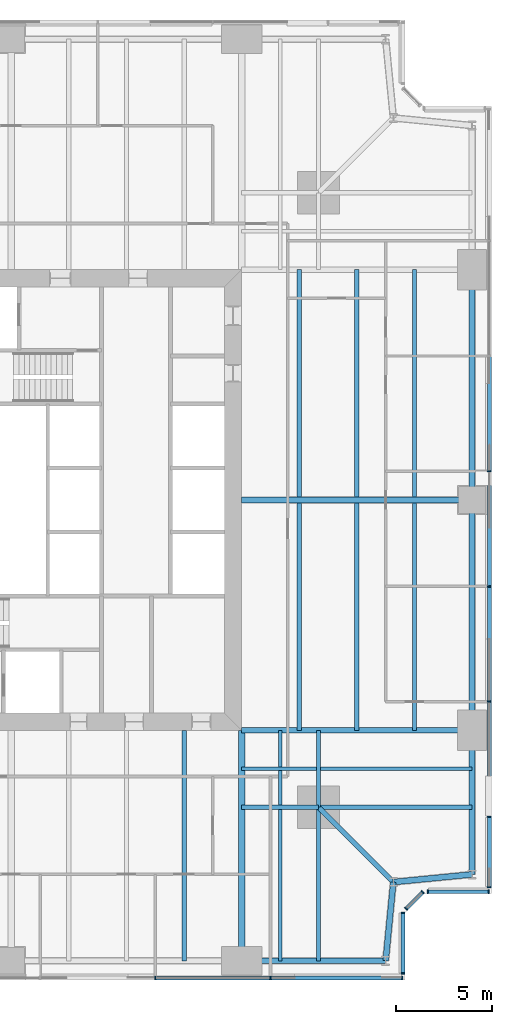
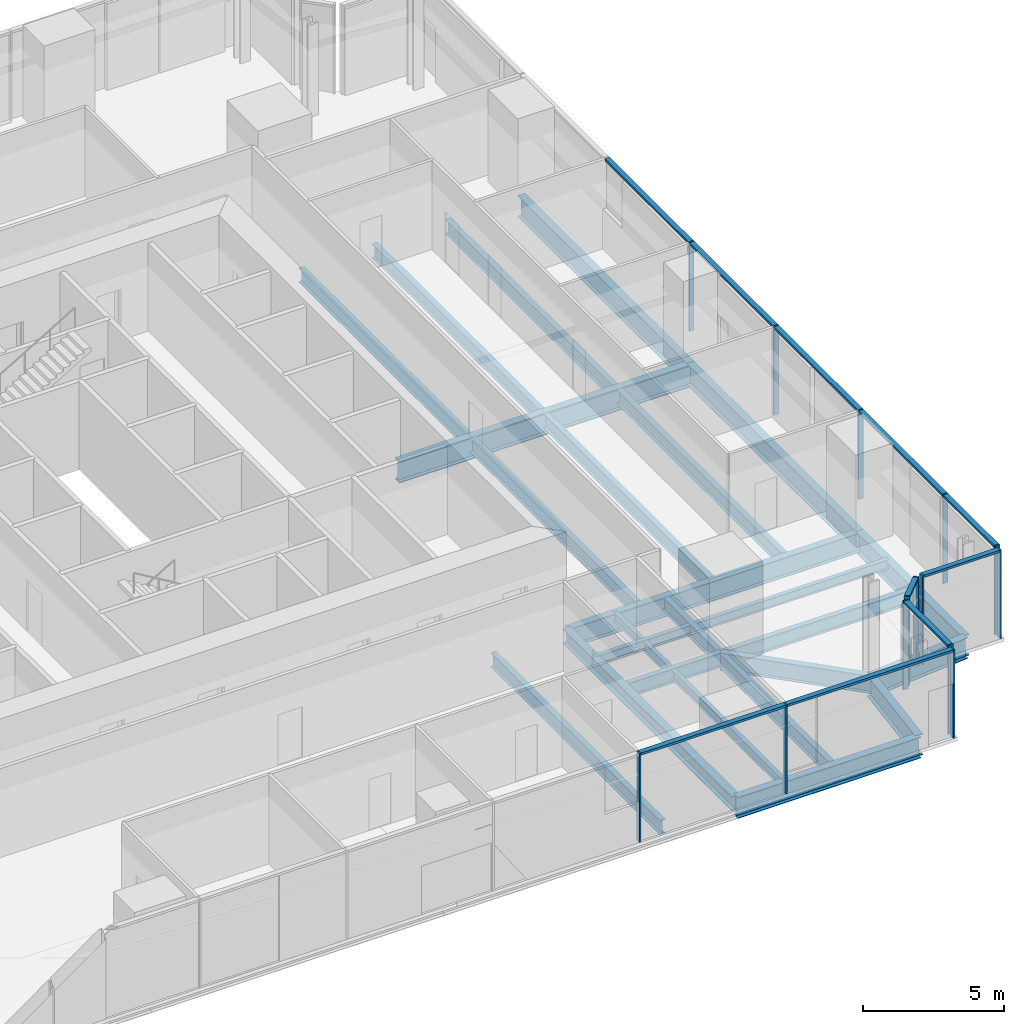
# One storey, part 5 of 13: 26 beams, 24 members, 5 elements without a shape of their own.
"""IFC4 building model written with IfcOpenShell, lengths in metres."""

from ifc_helpers import new_model, si_unit, direction, frame, origin, origin_2d, place, context, subcontext, project, spatial, rectangle, i_section, extrude, material, material_profile, profile_set, type_object, element, aggregate, save


model = new_model("IFC4")

# Units and contexts
model_context = context("Model", 3, precision=1e-05, world=origin(), true_north=direction((0.0, 1.0)))
body_context = subcontext(model_context, "Body", "Model", "MODEL_VIEW")
ifc_project = project(units=[si_unit("LENGTHUNIT", "METRE"), si_unit("AREAUNIT", "SQUARE_METRE"), si_unit("VOLUMEUNIT", "CUBIC_METRE"), si_unit("PLANEANGLEUNIT", "RADIAN"), si_unit("MASSUNIT", "GRAM", prefix="KILO")], contexts=[model_context])

# Site, building, storey
site_placement = place(None, origin())
site = spatial("IfcSite", under=ifc_project, at=site_placement, CompositionType="ELEMENT")
building_placement = place(site_placement, origin())
building = spatial("IfcBuilding", under=site, at=building_placement, Name="Fenwick Lantern Interchange", CompositionType="ELEMENT")
storey_placement = place(building_placement, frame((0.0, 0.0, 106.39990234375)))
storey = spatial("IfcBuildingStorey", under=building, at=storey_placement, Name="L24", CompositionType="ELEMENT", Elevation=106.39990234375)

# Beams
ifc_material_1 = material(Name="Steel ASTM A992 Grade 50", Category="steel")
ifc_material_profile_1 = material_profile(ifc_material_1, i_section(OverallWidth=0.3046875, OverallDepth=0.911865234375, WebThickness=0.015869140625, FlangeThickness=0.02392578125, at=origin_2d()), Name="W36X150")
ifc_profile_set_1 = profile_set([ifc_material_profile_1], Name="Steel ASTM A992 Grade 50")
beam_type_1 = type_object("IfcBeamType", Name="EDGE BEAM W36X150", PredefinedType="SPANDREL", material=ifc_profile_set_1)
beam_1_placement = place(storey_placement, frame((37.0, 1.0, -0.605712890625), z_axis=(1.0, 0.0, 0.0), x_axis=(0.0, 1.0, 0.0)))
element("IfcBeam", 1, at=beam_1_placement, inside=storey, type_object=beam_type_1, Name="L24/FR/S/EB4", PredefinedType="SPANDREL", context=body_context, shape_type="SweptSolid", body=[
    extrude(i_section(OverallWidth=0.3046875, OverallDepth=0.911865234375, WebThickness=0.015869140625, FlangeThickness=0.02392578125, at=origin_2d()), origin(), (0.0, 0.0, 1.0), 7.5),
])
for number, where, z_axis, x_axis, name in (
    (2, (44.5, 1.0, -0.605712890625), (0.097074191287, 0.995277148028, 0.0), (-0.995277148028, 0.097074191287, 0.0), "L24/FR/S/EBR1"),
    (3, (44.89990234375, 5.10009765625, -0.605712890625), (0.995277148028, 0.097074191287, 0.0), (-0.097074191287, 0.995277148028, 0.0), "L24/FR/S/EBR2"),
):
    element("IfcBeam", number, at=place(storey_placement, frame(where, z_axis=z_axis, x_axis=x_axis)), inside=storey, type_object=beam_type_1, Name=name, PredefinedType="SPANDREL", context=body_context, shape_type="SweptSolid", body=[
        extrude(i_section(OverallWidth=0.3046875, OverallDepth=0.911865234375, WebThickness=0.015869140625, FlangeThickness=0.02392578125, at=origin_2d()), origin(), (0.0, 0.0, 1.0), 4.11962890625),
    ])
beam_2_placement = place(storey_placement, frame((49.0, 5.5, -0.605712890625), z_axis=(0.0, 1.0, 0.0), x_axis=(-1.0, 0.0, 0.0)))
element("IfcBeam", 4, at=beam_2_placement, inside=storey, type_object=beam_type_1, Name="L24/FR/E/EB1", PredefinedType="SPANDREL", context=body_context, shape_type="SweptSolid", body=[
    extrude(i_section(OverallWidth=0.3046875, OverallDepth=0.911865234375, WebThickness=0.015869140625, FlangeThickness=0.02392578125, at=origin_2d()), origin(), (0.0, 0.0, 1.0), 7.5),
])
for number, where, z_axis, x_axis, name in (
    (5, (49.0, 13.0, -0.605712890625), (0.0, 1.0, 0.0), (-1.0, 0.0, 0.0), "L24/FR/E/EB2"),
    (6, (49.0, 25.0, -0.605712890625), (0.0, 1.0, 0.0), (-1.0, 0.0, 0.0), "L24/FR/E/EB3"),
):
    element("IfcBeam", number, at=place(storey_placement, frame(where, z_axis=z_axis, x_axis=x_axis)), inside=storey, type_object=beam_type_1, Name=name, PredefinedType="SPANDREL", context=body_context, shape_type="SweptSolid", body=[
        extrude(i_section(OverallWidth=0.3046875, OverallDepth=0.911865234375, WebThickness=0.015869140625, FlangeThickness=0.02392578125, at=origin_2d()), origin(), (0.0, 0.0, 1.0), 12.0),
    ])
ifc_material_profile_2 = material_profile(ifc_material_1, i_section(OverallWidth=0.22900390625, OverallDepth=0.612060546875, WebThickness=0.011962890625, FlangeThickness=0.01953125, at=origin_2d()), Name="W24X84")
ifc_profile_set_2 = profile_set([ifc_material_profile_2], Name="Steel ASTM A992 Grade 50")
beam_type_2 = type_object("IfcBeamType", Name="FLOOR BEAM W24X84", PredefinedType="BEAM", material=ifc_profile_set_2)
beam_3_placement = place(storey_placement, frame((34.0, 1.0, -0.4560546875), z_axis=(0.0, 1.0, 0.0), x_axis=(-1.0, 0.0, 0.0)))
element("IfcBeam", 7, at=beam_3_placement, inside=storey, type_object=beam_type_2, Name="L24/FR/S/R08", PredefinedType="BEAM", context=body_context, shape_type="SweptSolid", body=[
    extrude(i_section(OverallWidth=0.22900390625, OverallDepth=0.612060546875, WebThickness=0.011962890625, FlangeThickness=0.01953125, at=origin_2d()), origin(), (0.0, 0.0, 1.0), 12.0),
])
for number, where, z_axis, x_axis, name in (
    (8, (46.0, 13.0, -0.4560546875), (0.0, 1.0, 0.0), (-1.0, 0.0, 0.0), "L24/FR/E/B01"),
    (9, (43.0, 13.0, -0.4560546875), (0.0, 1.0, 0.0), (-1.0, 0.0, 0.0), "L24/FR/E/B02"),
    (10, (40.0, 13.0, -0.4560546875), (0.0, 1.0, 0.0), (-1.0, 0.0, 0.0), "L24/FR/E/B03"),
    (11, (46.0, 25.155029296875, -0.4560546875), (0.0, 1.0, 0.0), (-1.0, 0.0, 0.0), "L24/FR/E/B04"),
    (12, (43.0, 25.155029296875, -0.4560546875), (0.0, 1.0, 0.0), (-1.0, 0.0, 0.0), "L24/FR/E/B05"),
    (13, (40.0, 25.155029296875, -0.4560546875), (0.0, 1.0, 0.0), (-1.0, 0.0, 0.0), "L24/FR/E/B06"),
):
    element("IfcBeam", number, at=place(storey_placement, frame(where, z_axis=z_axis, x_axis=x_axis)), inside=storey, type_object=beam_type_2, Name=name, PredefinedType="BEAM", context=body_context, shape_type="SweptSolid", body=[
        extrude(i_section(OverallWidth=0.22900390625, OverallDepth=0.612060546875, WebThickness=0.011962890625, FlangeThickness=0.01953125, at=origin_2d()), origin(), (0.0, 0.0, 1.0), 11.844970703125),
    ])
ifc_material_profile_3 = material_profile(ifc_material_1, i_section(OverallWidth=0.177734375, OverallDepth=0.406494140625, WebThickness=0.0078125, FlangeThickness=0.012939453125, at=origin_2d()), Name="W16X40")
ifc_profile_set_3 = profile_set([ifc_material_profile_3], Name="Steel ASTM A992 Grade 50")
beam_type_3 = type_object("IfcBeamType", Name="INFILL BEAM W16X40", PredefinedType="JOIST", material=ifc_profile_set_3)
beam_4_placement = place(storey_placement, frame((49.0, 11.0, -0.35302734375), z_axis=(-1.0, 0.0, 0.0), x_axis=(0.0, -1.0, 0.0)))
element("IfcBeam", 14, at=beam_4_placement, inside=storey, type_object=beam_type_3, Name="L24/FR/E/J1", PredefinedType="JOIST", context=body_context, shape_type="SweptSolid", body=[
    extrude(i_section(OverallWidth=0.177734375, OverallDepth=0.406494140625, WebThickness=0.0078125, FlangeThickness=0.012939453125, at=origin_2d()), origin(), (0.0, 0.0, 1.0), 7.885498046875),
])
beam_5_placement = place(storey_placement, frame((40.885498046875, 11.0, -0.35302734375), z_axis=(-1.0, 0.0, 0.0), x_axis=(0.0, -1.0, 0.0)))
element("IfcBeam", 15, at=beam_5_placement, inside=storey, type_object=beam_type_3, Name="L24/FR/E/J2", PredefinedType="JOIST", context=body_context, shape_type="SweptSolid", body=[
    extrude(i_section(OverallWidth=0.177734375, OverallDepth=0.406494140625, WebThickness=0.0078125, FlangeThickness=0.012939453125, at=origin_2d()), origin(), (0.0, 0.0, 1.0), 3.885498046875),
])
beam_6_placement = place(storey_placement, frame((39.0, 1.0, -0.35302734375), z_axis=(0.0, 1.0, 0.0), x_axis=(-1.0, 0.0, 0.0)))
element("IfcBeam", 16, at=beam_6_placement, inside=storey, type_object=beam_type_3, Name="L24/FR/E/J3", PredefinedType="JOIST", context=body_context, shape_type="SweptSolid", body=[
    extrude(i_section(OverallWidth=0.177734375, OverallDepth=0.406494140625, WebThickness=0.0078125, FlangeThickness=0.012939453125, at=origin_2d()), origin(), (0.0, 0.0, 1.0), 7.885498046875),
])
beam_7_placement = place(storey_placement, frame((39.0, 9.114501953125, -0.35302734375), z_axis=(0.0, 1.0, 0.0), x_axis=(-1.0, 0.0, 0.0)))
element("IfcBeam", 17, at=beam_7_placement, inside=storey, type_object=beam_type_3, Name="L24/FR/E/J4", PredefinedType="JOIST", context=body_context, shape_type="SweptSolid", body=[
    extrude(i_section(OverallWidth=0.177734375, OverallDepth=0.406494140625, WebThickness=0.0078125, FlangeThickness=0.012939453125, at=origin_2d()), origin(), (0.0, 0.0, 1.0), 1.796630859375),
])
beam_8_placement = place(storey_placement, frame((39.0, 11.0888671875, -0.35302734375), z_axis=(0.0, 1.0, 0.0), x_axis=(-1.0, 0.0, 0.0)))
element("IfcBeam", 18, at=beam_8_placement, inside=storey, type_object=beam_type_3, Name="L24/FR/E/J5", PredefinedType="JOIST", context=body_context, shape_type="SweptSolid", body=[
    extrude(i_section(OverallWidth=0.177734375, OverallDepth=0.406494140625, WebThickness=0.0078125, FlangeThickness=0.012939453125, at=origin_2d()), origin(), (0.0, 0.0, 1.0), 1.9111328125),
])
ifc_material_profile_4 = material_profile(ifc_material_1, i_section(OverallWidth=0.22900390625, OverallDepth=0.612060546875, WebThickness=0.011962890625, FlangeThickness=0.01953125, at=origin_2d()), Name="W24X84")
ifc_profile_set_4 = profile_set([ifc_material_profile_4], Name="Steel ASTM A992 Grade 50")
beam_type_4 = type_object("IfcBeamType", Name="MEGA COLUMN BEAM W24X84", PredefinedType="BEAM", material=ifc_profile_set_4)
for number, where, z_axis, x_axis, name in (
    (19, (41.0, 9.0, -0.4560546875), (1.0, 0.0, 0.0), (0.0, 1.0, 0.0), "L24/FR/E/MB1"),
    (20, (41.0, 9.0, -0.4560546875), (0.0, -1.0, 0.0), (1.0, 0.0, 0.0), "L24/FR/E/MB2"),
):
    element("IfcBeam", number, at=place(storey_placement, frame(where, z_axis=z_axis, x_axis=x_axis)), inside=storey, type_object=beam_type_4, Name=name, PredefinedType="BEAM", context=body_context, shape_type="SweptSolid", body=[
        extrude(i_section(OverallWidth=0.22900390625, OverallDepth=0.612060546875, WebThickness=0.011962890625, FlangeThickness=0.01953125, at=origin_2d()), origin(), (0.0, 0.0, 1.0), 8.0),
    ])
for number, where, z_axis, x_axis, name in (
    (21, (41.0, 9.0, -0.4560546875), (0.0, 1.0, 0.0), (-1.0, 0.0, 0.0), "L24/FR/E/MB3"),
    (22, (41.0, 9.0, -0.4560546875), (-1.0, 0.0, 0.0), (0.0, -1.0, 0.0), "L24/FR/E/MB4"),
):
    element("IfcBeam", number, at=place(storey_placement, frame(where, z_axis=z_axis, x_axis=x_axis)), inside=storey, type_object=beam_type_4, Name=name, PredefinedType="BEAM", context=body_context, shape_type="SweptSolid", body=[
        extrude(i_section(OverallWidth=0.22900390625, OverallDepth=0.612060546875, WebThickness=0.011962890625, FlangeThickness=0.01953125, at=origin_2d()), origin(), (0.0, 0.0, 1.0), 4.0),
    ])
ifc_material_profile_5 = material_profile(ifc_material_1, i_section(OverallWidth=0.32763671875, OverallDepth=0.622314453125, WebThickness=0.015380859375, FlangeThickness=0.0244140625, at=origin_2d()), Name="W24X131")
ifc_profile_set_5 = profile_set([ifc_material_profile_5], Name="Steel ASTM A992 Grade 50")
beam_type_5 = type_object("IfcBeamType", Name="MOMENT-CONNECTED GIRDER W24X131", PredefinedType="BEAM", material=ifc_profile_set_5)
beam_9_placement = place(storey_placement, frame((37.0, 1.0, -0.4609375), z_axis=(0.0, 1.0, 0.0), x_axis=(-1.0, 0.0, 0.0)))
element("IfcBeam", 23, at=beam_9_placement, inside=storey, type_object=beam_type_5, Name="L24/FR/S/R09", PredefinedType="BEAM", context=body_context, shape_type="SweptSolid", body=[
    extrude(i_section(OverallWidth=0.32763671875, OverallDepth=0.622314453125, WebThickness=0.015380859375, FlangeThickness=0.0244140625, at=origin_2d()), origin(), (0.0, 0.0, 1.0), 12.0),
])
ifc_material_profile_6 = material_profile(ifc_material_1, i_section(OverallWidth=0.2919921875, OverallDepth=0.845703125, WebThickness=0.015380859375, FlangeThickness=0.0244140625, at=origin_2d()), Name="W33X141")
ifc_profile_set_6 = profile_set([ifc_material_profile_6], Name="Steel ASTM A992 Grade 50")
beam_type_6 = type_object("IfcBeamType", Name="MOMENT-CONNECTED GIRDER W33X141", PredefinedType="BEAM", material=ifc_profile_set_6)
beam_10_placement = place(storey_placement, frame((49.0, 13.0, -0.57275390625), z_axis=(-1.0, 0.0, 0.0), x_axis=(0.0, -1.0, 0.0)))
element("IfcBeam", 24, at=beam_10_placement, inside=storey, type_object=beam_type_6, Name="L24/FR/E/R01", PredefinedType="BEAM", context=body_context, shape_type="SweptSolid", body=[
    extrude(i_section(OverallWidth=0.2919921875, OverallDepth=0.845703125, WebThickness=0.015380859375, FlangeThickness=0.0244140625, at=origin_2d()), origin(), (0.0, 0.0, 1.0), 12.0),
])
ifc_material_profile_7 = material_profile(ifc_material_1, i_section(OverallWidth=0.309814453125, OverallDepth=0.949951171875, WebThickness=0.0244140625, FlangeThickness=0.0439453125, at=origin_2d()), Name="W36X256")
ifc_profile_set_7 = profile_set([ifc_material_profile_7], Name="Steel ASTM A992 Grade 50")
beam_type_7 = type_object("IfcBeamType", Name="MOMENT-CONNECTED GIRDER W36X256", PredefinedType="BEAM", material=ifc_profile_set_7)
beam_11_placement = place(storey_placement, frame((49.0, 25.0, -0.625), z_axis=(-1.0, 0.0, 0.0), x_axis=(0.0, -1.0, 0.0)))
element("IfcBeam", 25, at=beam_11_placement, inside=storey, type_object=beam_type_7, Name="L24/FR/E/R02", PredefinedType="BEAM", context=body_context, shape_type="SweptSolid", body=[
    extrude(i_section(OverallWidth=0.309814453125, OverallDepth=0.949951171875, WebThickness=0.0244140625, FlangeThickness=0.0439453125, at=origin_2d()), origin(), (0.0, 0.0, 1.0), 12.0),
])
ifc_material_profile_8 = material_profile(ifc_material_1, i_section(OverallWidth=0.2666015625, OverallDepth=0.7568359375, WebThickness=0.013916015625, FlangeThickness=0.019287109375, at=origin_2d()), Name="W30X108")
ifc_profile_set_8 = profile_set([ifc_material_profile_8], Name="Steel ASTM A992 Grade 50")
beam_type_8 = type_object("IfcBeamType", Name="NOTCH BEAM W30X108", PredefinedType="BEAM", material=ifc_profile_set_8)
beam_12_placement = place(storey_placement, frame((41.0, 9.0, -0.5283203125), z_axis=(0.707106781187, -0.707106781187, 0.0), x_axis=(0.707106781187, 0.707106781187, 0.0)))
element("IfcBeam", 26, at=beam_12_placement, inside=storey, type_object=beam_type_8, Name="L24/FR/E/TG", PredefinedType="BEAM", context=body_context, shape_type="SweptSolid", body=[
    extrude(i_section(OverallWidth=0.2666015625, OverallDepth=0.7568359375, WebThickness=0.013916015625, FlangeThickness=0.019287109375, at=origin_2d()), origin(), (0.0, 0.0, 1.0), 5.515380859375),
])

# Curtain wall, members
ifc_material_2 = material(Name="Aluminium curtain wall frame", Category="aluminium")
curtain_wall_type = type_object("IfcCurtainWallType", Name="OFFICE CURTAIN WALL", PredefinedType="USERDEFINED", material=ifc_material_2)
curtain_wall_1_placement = place(storey_placement, origin())
curtain_wall_1 = element("IfcCurtainWall", 27, at=curtain_wall_1_placement, inside=storey, type_object=curtain_wall_type, Name="Office curtain wall 01", ObjectType="OFFICE CURTAIN WALL", PredefinedType="USERDEFINED")
ifc_material_3 = material(Name="Aluminium extrusion", Category="aluminium")
ifc_material_profile_9 = material_profile(ifc_material_3, rectangle(XDim=0.199951171875, YDim=0.06494140625, at=origin_2d()), Name="OFFICE CURTAIN WALL MULLION 65 X 200")
ifc_profile_set_9 = profile_set([ifc_material_profile_9], Name="Aluminium extrusion")
member_type_1 = type_object("IfcMemberType", Name="OFFICE CURTAIN WALL MULLION 65 X 200", PredefinedType="MULLION", material=ifc_profile_set_9)
member_1_placement = place(storey_placement, frame((32.5, 0.10009765625, 0.0), z_axis=(0.0, 0.0, 1.0), x_axis=(0.0, 1.0, 0.0)))
member_1 = element("IfcMember", 28, at=member_1_placement, type_object=member_type_1, Name="L24/CW/01/M05", PredefinedType="MULLION", context=body_context, shape_type="SweptSolid", body=[
    extrude(rectangle(XDim=0.199951171875, YDim=0.06494140625, at=origin_2d()), origin(), (0.0, 0.0, 1.0), 3.85009765625),
])
member_2_placement = place(storey_placement, frame((38.5, 0.10009765625, 0.0), z_axis=(0.0, 0.0, 1.0), x_axis=(0.0, 1.0, 0.0)))
member_2 = element("IfcMember", 29, at=member_2_placement, type_object=member_type_1, Name="L24/CW/01/M06", PredefinedType="MULLION", context=body_context, shape_type="SweptSolid", body=[
    extrude(rectangle(XDim=0.199951171875, YDim=0.06494140625, at=origin_2d()), origin(), (0.0, 0.0, 1.0), 3.85009765625),
])
member_3_placement = place(storey_placement, frame((45.367431640625, 0.10009765625, 0.0), z_axis=(0.0, 0.0, 1.0), x_axis=(0.0, 1.0, 0.0)))
member_3 = element("IfcMember", 30, at=member_3_placement, type_object=member_type_1, Name="L24/CW/01/M07", PredefinedType="MULLION", context=body_context, shape_type="SweptSolid", body=[
    extrude(rectangle(XDim=0.199951171875, YDim=0.06494140625, at=origin_2d()), origin(), (0.0, 0.0, 1.0), 3.85009765625),
])

curtain_wall_2_placement = place(storey_placement, origin())
curtain_wall_2 = element("IfcCurtainWall", 31, at=curtain_wall_2_placement, inside=storey, type_object=curtain_wall_type, Name="Office curtain wall 02", ObjectType="OFFICE CURTAIN WALL", PredefinedType="USERDEFINED")
member_4_placement = place(storey_placement, frame((45.39990234375, 0.33251953125, 0.0), z_axis=(0.0, 0.0, 1.0), x_axis=(-1.0, 0.0, 0.0)))
member_4 = element("IfcMember", 32, at=member_4_placement, type_object=member_type_1, Name="L24/CW/02/M00", PredefinedType="MULLION", context=body_context, shape_type="SweptSolid", body=[
    extrude(rectangle(XDim=0.199951171875, YDim=0.06494140625, at=origin_2d()), origin(), (0.0, 0.0, 1.0), 3.85009765625),
])
member_5_placement = place(storey_placement, frame((45.39990234375, 3.509033203125, 0.0), z_axis=(0.0, 0.0, 1.0), x_axis=(-1.0, 0.0, 0.0)))
member_5 = element("IfcMember", 33, at=member_5_placement, type_object=member_type_1, Name="L24/CW/02/M01", PredefinedType="MULLION", context=body_context, shape_type="SweptSolid", body=[
    extrude(rectangle(XDim=0.199951171875, YDim=0.06494140625, at=origin_2d()), origin(), (0.0, 0.0, 1.0), 3.85009765625),
])

curtain_wall_3_placement = place(storey_placement, origin())
curtain_wall_3 = element("IfcCurtainWall", 34, at=curtain_wall_3_placement, inside=storey, type_object=curtain_wall_type, Name="Office curtain wall 03", ObjectType="OFFICE CURTAIN WALL", PredefinedType="USERDEFINED")
member_6_placement = place(storey_placement, frame((45.564453125, 3.705810546875, 0.0), z_axis=(0.0, 0.0, 1.0), x_axis=(-0.707106781187, 0.707106781187, 0.0)))
member_6 = element("IfcMember", 35, at=member_6_placement, type_object=member_type_1, Name="L24/CW/03/M00", PredefinedType="MULLION", context=body_context, shape_type="SweptSolid", body=[
    extrude(rectangle(XDim=0.199951171875, YDim=0.06494140625, at=origin_2d()), origin(), (0.0, 0.0, 1.0), 3.85009765625),
])
member_7_placement = place(storey_placement, frame((46.435546875, 4.576904296875, 0.0), z_axis=(0.0, 0.0, 1.0), x_axis=(-0.707106781187, 0.707106781187, 0.0)))
member_7 = element("IfcMember", 36, at=member_7_placement, type_object=member_type_1, Name="L24/CW/03/M01", PredefinedType="MULLION", context=body_context, shape_type="SweptSolid", body=[
    extrude(rectangle(XDim=0.199951171875, YDim=0.06494140625, at=origin_2d()), origin(), (0.0, 0.0, 1.0), 3.85009765625),
])

curtain_wall_4_placement = place(storey_placement, origin())
curtain_wall_4 = element("IfcCurtainWall", 37, at=curtain_wall_4_placement, inside=storey, type_object=curtain_wall_type, Name="Office curtain wall 04", ObjectType="OFFICE CURTAIN WALL", PredefinedType="USERDEFINED")
member_8_placement = place(storey_placement, frame((46.691162109375, 4.60009765625, 0.0), z_axis=(0.0, 0.0, 1.0), x_axis=(0.0, 1.0, 0.0)))
member_8 = element("IfcMember", 38, at=member_8_placement, type_object=member_type_1, Name="L24/CW/04/M00", PredefinedType="MULLION", context=body_context, shape_type="SweptSolid", body=[
    extrude(rectangle(XDim=0.199951171875, YDim=0.06494140625, at=origin_2d()), origin(), (0.0, 0.0, 1.0), 3.85009765625),
])
member_9_placement = place(storey_placement, frame((49.867431640625, 4.60009765625, 0.0), z_axis=(0.0, 0.0, 1.0), x_axis=(0.0, 1.0, 0.0)))
member_9 = element("IfcMember", 39, at=member_9_placement, type_object=member_type_1, Name="L24/CW/04/M01", PredefinedType="MULLION", context=body_context, shape_type="SweptSolid", body=[
    extrude(rectangle(XDim=0.199951171875, YDim=0.06494140625, at=origin_2d()), origin(), (0.0, 0.0, 1.0), 3.85009765625),
])

curtain_wall_5_placement = place(storey_placement, origin())
curtain_wall_5 = element("IfcCurtainWall", 40, at=curtain_wall_5_placement, inside=storey, type_object=curtain_wall_type, Name="Office curtain wall 05", ObjectType="OFFICE CURTAIN WALL", PredefinedType="USERDEFINED")
member_10_placement = place(storey_placement, frame((49.89990234375, 4.83251953125, 0.0), z_axis=(0.0, 0.0, 1.0), x_axis=(-1.0, 0.0, 0.0)))
member_10 = element("IfcMember", 41, at=member_10_placement, type_object=member_type_1, Name="L24/CW/05/M00", PredefinedType="MULLION", context=body_context, shape_type="SweptSolid", body=[
    extrude(rectangle(XDim=0.199951171875, YDim=0.06494140625, at=origin_2d()), origin(), (0.0, 0.0, 1.0), 3.85009765625),
])
member_11_placement = place(storey_placement, frame((49.89990234375, 8.5, 0.0), z_axis=(0.0, 0.0, 1.0), x_axis=(-1.0, 0.0, 0.0)))
member_11 = element("IfcMember", 42, at=member_11_placement, type_object=member_type_1, Name="L24/CW/05/M01", PredefinedType="MULLION", context=body_context, shape_type="SweptSolid", body=[
    extrude(rectangle(XDim=0.199951171875, YDim=0.06494140625, at=origin_2d()), origin(), (0.0, 0.0, 1.0), 3.85009765625),
])
member_12_placement = place(storey_placement, frame((49.89990234375, 14.5, 0.0), z_axis=(0.0, 0.0, 1.0), x_axis=(-1.0, 0.0, 0.0)))
member_12 = element("IfcMember", 43, at=member_12_placement, type_object=member_type_1, Name="L24/CW/05/M02", PredefinedType="MULLION", context=body_context, shape_type="SweptSolid", body=[
    extrude(rectangle(XDim=0.199951171875, YDim=0.06494140625, at=origin_2d()), origin(), (0.0, 0.0, 1.0), 3.85009765625),
])
member_13_placement = place(storey_placement, frame((49.89990234375, 20.5, 0.0), z_axis=(0.0, 0.0, 1.0), x_axis=(-1.0, 0.0, 0.0)))
member_13 = element("IfcMember", 44, at=member_13_placement, type_object=member_type_1, Name="L24/CW/05/M03", PredefinedType="MULLION", context=body_context, shape_type="SweptSolid", body=[
    extrude(rectangle(XDim=0.199951171875, YDim=0.06494140625, at=origin_2d()), origin(), (0.0, 0.0, 1.0), 3.85009765625),
])
member_14_placement = place(storey_placement, frame((49.89990234375, 26.5, 0.0), z_axis=(0.0, 0.0, 1.0), x_axis=(-1.0, 0.0, 0.0)))
member_14 = element("IfcMember", 45, at=member_14_placement, type_object=member_type_1, Name="L24/CW/05/M04", PredefinedType="MULLION", context=body_context, shape_type="SweptSolid", body=[
    extrude(rectangle(XDim=0.199951171875, YDim=0.06494140625, at=origin_2d()), origin(), (0.0, 0.0, 1.0), 3.85009765625),
])

# Member
ifc_material_profile_10 = material_profile(ifc_material_3, rectangle(XDim=0.199951171875, YDim=0.10009765625, at=origin_2d()), Name="OFFICE CURTAIN WALL TRANSOM 100 X 200")
ifc_profile_set_10 = profile_set([ifc_material_profile_10], Name="Aluminium extrusion")
member_type_2 = type_object("IfcMemberType", Name="OFFICE CURTAIN WALL TRANSOM 100 X 200", PredefinedType="MULLION", material=ifc_profile_set_10)
member_15_placement = place(storey_placement, frame((32.532470703125, 0.10009765625, 3.800048828125), z_axis=(1.0, 0.0, 0.0), x_axis=(0.0, 1.0, 0.0)))
member_15 = element("IfcMember", 46, at=member_15_placement, type_object=member_type_2, Name="L24/CW/01/T05", PredefinedType="MULLION", context=body_context, shape_type="SweptSolid", body=[
    extrude(rectangle(XDim=0.199951171875, YDim=0.10009765625, at=origin_2d()), origin(), (0.0, 0.0, 1.0), 5.93505859375),
])

member_16_placement = place(storey_placement, frame((38.532470703125, 0.10009765625, 3.800048828125), z_axis=(1.0, 0.0, 0.0), x_axis=(0.0, 1.0, 0.0)))
member_16 = element("IfcMember", 47, at=member_16_placement, type_object=member_type_2, Name="L24/CW/01/T06", PredefinedType="MULLION", context=body_context, shape_type="SweptSolid", body=[
    extrude(rectangle(XDim=0.199951171875, YDim=0.10009765625, at=origin_2d()), origin(), (0.0, 0.0, 1.0), 6.802490234375),
])

aggregate(curtain_wall_1, [member_1, member_2, member_3, member_15, member_16])

member_17_placement = place(storey_placement, frame((45.39990234375, 0.364990234375, 3.800048828125), z_axis=(0.0, 1.0, 0.0), x_axis=(-1.0, 0.0, 0.0)))
member_17 = element("IfcMember", 48, at=member_17_placement, type_object=member_type_2, Name="L24/CW/02/T00", PredefinedType="MULLION", context=body_context, shape_type="SweptSolid", body=[
    extrude(rectangle(XDim=0.199951171875, YDim=0.10009765625, at=origin_2d()), origin(), (0.0, 0.0, 1.0), 3.111328125),
])

aggregate(curtain_wall_2, [member_4, member_5, member_17])

member_18_placement = place(storey_placement, frame((45.58740234375, 3.728759765625, 3.800048828125), z_axis=(0.707106781187, 0.707106781187, 0.0), x_axis=(-0.707106781187, 0.707106781187, 0.0)))
member_18 = element("IfcMember", 49, at=member_18_placement, type_object=member_type_2, Name="L24/CW/03/T00", PredefinedType="MULLION", context=body_context, shape_type="SweptSolid", body=[
    extrude(rectangle(XDim=0.199951171875, YDim=0.10009765625, at=origin_2d()), origin(), (0.0, 0.0, 1.0), 1.1669921875),
])

aggregate(curtain_wall_3, [member_6, member_7, member_18])

member_19_placement = place(storey_placement, frame((46.7236328125, 4.60009765625, 3.800048828125), z_axis=(1.0, 0.0, 0.0), x_axis=(0.0, 1.0, 0.0)))
member_19 = element("IfcMember", 50, at=member_19_placement, type_object=member_type_2, Name="L24/CW/04/T00", PredefinedType="MULLION", context=body_context, shape_type="SweptSolid", body=[
    extrude(rectangle(XDim=0.199951171875, YDim=0.10009765625, at=origin_2d()), origin(), (0.0, 0.0, 1.0), 3.111328125),
])

aggregate(curtain_wall_4, [member_8, member_9, member_19])

member_20_placement = place(storey_placement, frame((49.89990234375, 4.864990234375, 3.800048828125), z_axis=(0.0, 1.0, 0.0), x_axis=(-1.0, 0.0, 0.0)))
member_20 = element("IfcMember", 51, at=member_20_placement, type_object=member_type_2, Name="L24/CW/05/T00", PredefinedType="MULLION", context=body_context, shape_type="SweptSolid", body=[
    extrude(rectangle(XDim=0.199951171875, YDim=0.10009765625, at=origin_2d()), origin(), (0.0, 0.0, 1.0), 3.6025390625),
])

member_21_placement = place(storey_placement, frame((49.89990234375, 8.532470703125, 3.800048828125), z_axis=(0.0, 1.0, 0.0), x_axis=(-1.0, 0.0, 0.0)))
member_21 = element("IfcMember", 52, at=member_21_placement, type_object=member_type_2, Name="L24/CW/05/T01", PredefinedType="MULLION", context=body_context, shape_type="SweptSolid", body=[
    extrude(rectangle(XDim=0.199951171875, YDim=0.10009765625, at=origin_2d()), origin(), (0.0, 0.0, 1.0), 5.93505859375),
])

member_22_placement = place(storey_placement, frame((49.89990234375, 14.532470703125, 3.800048828125), z_axis=(0.0, 1.0, 0.0), x_axis=(-1.0, 0.0, 0.0)))
member_22 = element("IfcMember", 53, at=member_22_placement, type_object=member_type_2, Name="L24/CW/05/T02", PredefinedType="MULLION", context=body_context, shape_type="SweptSolid", body=[
    extrude(rectangle(XDim=0.199951171875, YDim=0.10009765625, at=origin_2d()), origin(), (0.0, 0.0, 1.0), 5.93505859375),
])

member_23_placement = place(storey_placement, frame((49.89990234375, 20.532470703125, 3.800048828125), z_axis=(0.0, 1.0, 0.0), x_axis=(-1.0, 0.0, 0.0)))
member_23 = element("IfcMember", 54, at=member_23_placement, type_object=member_type_2, Name="L24/CW/05/T03", PredefinedType="MULLION", context=body_context, shape_type="SweptSolid", body=[
    extrude(rectangle(XDim=0.199951171875, YDim=0.10009765625, at=origin_2d()), origin(), (0.0, 0.0, 1.0), 5.93505859375),
])

member_24_placement = place(storey_placement, frame((49.89990234375, 26.532470703125, 3.800048828125), z_axis=(0.0, 1.0, 0.0), x_axis=(-1.0, 0.0, 0.0)))
member_24 = element("IfcMember", 55, at=member_24_placement, type_object=member_type_2, Name="L24/CW/05/T04", PredefinedType="MULLION", context=body_context, shape_type="SweptSolid", body=[
    extrude(rectangle(XDim=0.199951171875, YDim=0.10009765625, at=origin_2d()), origin(), (0.0, 0.0, 1.0), 5.93505859375),
])

aggregate(curtain_wall_5, [member_10, member_11, member_12, member_13, member_14, member_20, member_21, member_22, member_23, member_24])

save(model, "model.ifc")
